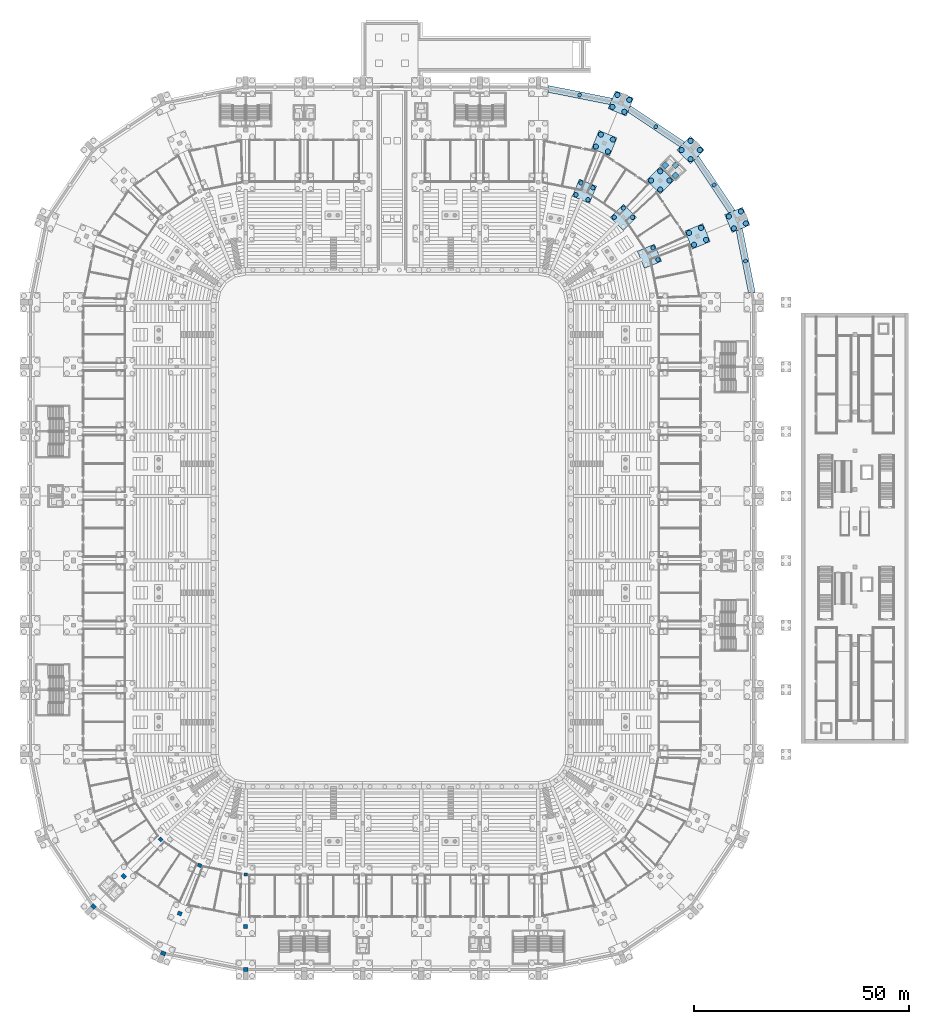
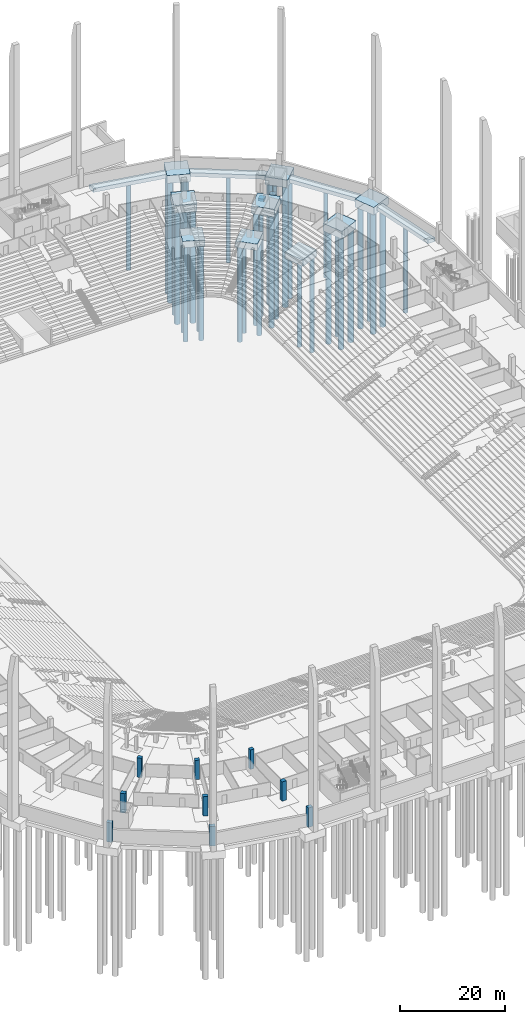
# One storey, part 9 of 115: 37 piles, 16 footings, 9 columns.
"""IFC4 building model written with IfcOpenShell, lengths in metres."""

from ifc_helpers import new_model, si_unit, direction, frame, origin, origin_2d, place, context, subcontext, project, spatial, polyline, rectangle, circle, outline, extrude, material, layer, layer_set, material_profile, profile_set, type_object, element, save


model = new_model("IFC4")

# Units and contexts
model_context = context("Model", 3, precision=1e-05, world=origin(), true_north=direction((0.0, 1.0)))
body_context = subcontext(model_context, "Body", "Model", "MODEL_VIEW")
ifc_project = project(units=[si_unit("LENGTHUNIT", "METRE"), si_unit("AREAUNIT", "SQUARE_METRE"), si_unit("VOLUMEUNIT", "CUBIC_METRE"), si_unit("PLANEANGLEUNIT", "RADIAN"), si_unit("MASSUNIT", "GRAM", prefix="KILO")], contexts=[model_context])

# Site, building, storey
site_placement = place(None, origin())
site = spatial("IfcSite", under=ifc_project, at=site_placement, CompositionType="ELEMENT")
building_placement = place(site_placement, origin())
building = spatial("IfcBuilding", under=site, at=building_placement, Name="Ogive Plaza Stadium", CompositionType="ELEMENT")
storey_placement = place(building_placement, frame((0.0, 0.0, -4.5)))
storey = spatial("IfcBuildingStorey", under=building, at=storey_placement, Name="B1", CompositionType="ELEMENT", Elevation=-4.5)

# Piles
ifc_material_1 = material(Name="Concrete C40/50", Category="concrete")
ifc_material_profile_1 = material_profile(ifc_material_1, circle(Radius=0.5, at=origin_2d()), Name="RC D1000")
ifc_profile_set_1 = profile_set([ifc_material_profile_1], Name="Concrete C40/50")
pile_type_1 = type_object("IfcPileType", Name="Bored pile D1000", PredefinedType="BORED", material=ifc_profile_set_1)
for number, where, z_axis, x_axis, name in (
    (1, (45.48876953125, 76.31640625, -1.5), (0.0, 0.0, -1.0), (1.0, 0.0, 0.0), "Bored pile F3:R38 1"),
    (2, (42.717041015625, 77.46435546875, -1.5), (0.0, 0.0, -1.0), (1.0, 0.0, 0.0), "Bored pile F3:R38 2"),
    (3, (46.63671875, 79.088134765625, -1.5), (0.0, 0.0, -1.0), (1.0, 0.0, 0.0), "Bored pile F3:R38 3"),
    (4, (43.864990234375, 80.236083984375, -1.5), (0.0, 0.0, -1.0), (1.0, 0.0, 0.0), "Bored pile F3:R38 4"),
    (5, (51.60693359375, 72.228271484375, -1.5), (0.0, 0.0, -1.0), (1.0, 0.0, 0.0), "Bored pile F3:R39 2"),
    (6, (55.849609375, 72.228271484375, -1.5), (0.0, 0.0, -1.0), (1.0, 0.0, 0.0), "Bored pile F3:R39 3"),
    (7, (53.728271484375, 74.349609375, -1.5), (0.0, 0.0, -1.0), (1.0, 0.0, 0.0), "Bored pile F3:R39 4"),
    (8, (61.736083984375, 62.364990234375, -1.5), (0.0, 0.0, -1.0), (1.0, 0.0, 0.0), "Bored pile F3:R40 3"),
    (9, (60.588134765625, 65.13671875, -1.5), (0.0, 0.0, -1.0), (1.0, 0.0, 0.0), "Bored pile F3:R40 4"),
):
    element("IfcPile", number, at=place(storey_placement, frame(where, z_axis=z_axis, x_axis=x_axis)), inside=storey, type_object=pile_type_1, Name=name, PredefinedType="BORED", context=body_context, shape_type="SweptSolid", body=[
        extrude(circle(Radius=0.5, at=origin_2d()), origin(), (0.0, 0.0, 1.0), 22.0),
    ])
ifc_material_2 = material(Name="Concrete C40/50", Category="concrete")
ifc_material_profile_2 = material_profile(ifc_material_2, circle(Radius=0.60009765625, at=origin_2d()), Name="RC D1200")
ifc_profile_set_2 = profile_set([ifc_material_profile_2], Name="Concrete C40/50")
pile_type_2 = type_object("IfcPileType", Name="Bored pile D1200", PredefinedType="BORED", material=ifc_profile_set_2)
for number, where, z_axis, x_axis, name in (
    (10, (50.119140625, 87.495361328125, -1.800048828125), (0.0, 0.0, -1.0), (1.0, 0.0, 0.0), "Bored pile F4:R38 1"),
    (11, (47.347412109375, 88.643310546875, -1.800048828125), (0.0, 0.0, -1.0), (1.0, 0.0, 0.0), "Bored pile F4:R38 2"),
    (12, (51.26708984375, 90.26708984375, -1.800048828125), (0.0, 0.0, -1.0), (1.0, 0.0, 0.0), "Bored pile F4:R38 3"),
    (13, (48.49560546875, 91.4150390625, -1.800048828125), (0.0, 0.0, -1.0), (1.0, 0.0, 0.0), "Bored pile F4:R38 4"),
):
    element("IfcPile", number, at=place(storey_placement, frame(where, z_axis=z_axis, x_axis=x_axis)), inside=storey, type_object=pile_type_2, Name=name, PredefinedType="BORED", context=body_context, shape_type="SweptSolid", body=[
        extrude(circle(Radius=0.60009765625, at=origin_2d()), origin(), (0.0, 0.0, 1.0), 26.0),
    ])
for number, where, z_axis, x_axis, name in (
    (14, (53.946044921875, 96.734130859375, -1.800048828125), (0.0, 0.0, -1.0), (1.0, 0.0, 0.0), "Bored pile F5:R38 1"),
    (15, (51.17431640625, 97.882080078125, -1.800048828125), (0.0, 0.0, -1.0), (1.0, 0.0, 0.0), "Bored pile F5:R38 2"),
    (16, (55.093994140625, 99.505859375, -1.800048828125), (0.0, 0.0, -1.0), (1.0, 0.0, 0.0), "Bored pile F5:R38 3"),
    (17, (52.322265625, 100.65380859375, -1.800048828125), (0.0, 0.0, -1.0), (1.0, 0.0, 0.0), "Bored pile F5:R38 4"),
):
    element("IfcPile", number, at=place(storey_placement, frame(where, z_axis=z_axis, x_axis=x_axis)), inside=storey, type_object=pile_type_2, Name=name, PredefinedType="BORED", context=body_context, shape_type="SweptSolid", body=[
        extrude(circle(Radius=0.60009765625, at=origin_2d()), origin(), (0.0, 0.0, 1.0), 28.0),
    ])
for number, where, z_axis, x_axis, name in (
    (18, (62.2841796875, 78.662841796875, -1.800048828125), (0.0, 0.0, -1.0), (1.0, 0.0, 0.0), "Bored pile F4:R39 1"),
    (19, (60.162841796875, 80.7841796875, -1.800048828125), (0.0, 0.0, -1.0), (1.0, 0.0, 0.0), "Bored pile F4:R39 2"),
    (20, (64.405517578125, 80.7841796875, -1.800048828125), (0.0, 0.0, -1.0), (1.0, 0.0, 0.0), "Bored pile F4:R39 3"),
    (21, (62.2841796875, 82.905517578125, -1.800048828125), (0.0, 0.0, -1.0), (1.0, 0.0, 0.0), "Bored pile F4:R39 4"),
):
    element("IfcPile", number, at=place(storey_placement, frame(where, z_axis=z_axis, x_axis=x_axis)), inside=storey, type_object=pile_type_2, Name=name, PredefinedType="BORED", context=body_context, shape_type="SweptSolid", body=[
        extrude(circle(Radius=0.60009765625, at=origin_2d()), origin(), (0.0, 0.0, 1.0), 26.0),
    ])
for number, where, z_axis, x_axis, name in (
    (22, (69.355224609375, 85.734130859375, -1.800048828125), (0.0, 0.0, -1.0), (1.0, 0.0, 0.0), "Bored pile F5:R39 1"),
    (23, (67.234130859375, 87.855224609375, -1.800048828125), (0.0, 0.0, -1.0), (1.0, 0.0, 0.0), "Bored pile F5:R39 2"),
    (24, (71.4765625, 87.855224609375, -1.800048828125), (0.0, 0.0, -1.0), (1.0, 0.0, 0.0), "Bored pile F5:R39 3"),
    (25, (69.355224609375, 89.9765625, -1.800048828125), (0.0, 0.0, -1.0), (1.0, 0.0, 0.0), "Bored pile F5:R39 4"),
):
    element("IfcPile", number, at=place(storey_placement, frame(where, z_axis=z_axis, x_axis=x_axis)), inside=storey, type_object=pile_type_2, Name=name, PredefinedType="BORED", context=body_context, shape_type="SweptSolid", body=[
        extrude(circle(Radius=0.60009765625, at=origin_2d()), origin(), (0.0, 0.0, 1.0), 28.0),
    ])
for number, where, z_axis, x_axis, name in (
    (26, (70.143310546875, 65.847412109375, -1.800048828125), (0.0, 0.0, -1.0), (1.0, 0.0, 0.0), "Bored pile F4:R40 1"),
    (27, (68.995361328125, 68.619140625, -1.800048828125), (0.0, 0.0, -1.0), (1.0, 0.0, 0.0), "Bored pile F4:R40 2"),
    (28, (72.9150390625, 66.99560546875, -1.800048828125), (0.0, 0.0, -1.0), (1.0, 0.0, 0.0), "Bored pile F4:R40 3"),
    (29, (71.76708984375, 69.76708984375, -1.800048828125), (0.0, 0.0, -1.0), (1.0, 0.0, 0.0), "Bored pile F4:R40 4"),
):
    element("IfcPile", number, at=place(storey_placement, frame(where, z_axis=z_axis, x_axis=x_axis)), inside=storey, type_object=pile_type_2, Name=name, PredefinedType="BORED", context=body_context, shape_type="SweptSolid", body=[
        extrude(circle(Radius=0.60009765625, at=origin_2d()), origin(), (0.0, 0.0, 1.0), 26.0),
    ])
for number, where, z_axis, x_axis, name in (
    (30, (79.382080078125, 69.67431640625, -1.800048828125), (0.0, 0.0, -1.0), (1.0, 0.0, 0.0), "Bored pile F5:R40 1"),
    (31, (78.234130859375, 72.446044921875, -1.800048828125), (0.0, 0.0, -1.0), (1.0, 0.0, 0.0), "Bored pile F5:R40 2"),
    (32, (82.15380859375, 70.822265625, -1.800048828125), (0.0, 0.0, -1.0), (1.0, 0.0, 0.0), "Bored pile F5:R40 3"),
    (33, (81.005859375, 73.593994140625, -1.800048828125), (0.0, 0.0, -1.0), (1.0, 0.0, 0.0), "Bored pile F5:R40 4"),
):
    element("IfcPile", number, at=place(storey_placement, frame(where, z_axis=z_axis, x_axis=x_axis)), inside=storey, type_object=pile_type_2, Name=name, PredefinedType="BORED", context=body_context, shape_type="SweptSolid", body=[
        extrude(circle(Radius=0.60009765625, at=origin_2d()), origin(), (0.0, 0.0, 1.0), 28.0),
    ])
ifc_material_3 = material(Name="Concrete C40/50", Category="concrete")
ifc_material_profile_3 = material_profile(ifc_material_3, circle(Radius=0.449951171875, at=origin_2d()), Name="RC D900")
ifc_profile_set_3 = profile_set([ifc_material_profile_3], Name="Concrete C40/50")
pile_type_3 = type_object("IfcPileType", Name="Bored pile D900", PredefinedType="BORED", material=ifc_profile_set_3)
for number, where, z_axis, x_axis, name in (
    (34, (43.568115234375, 100.602294921875, -1.300048828125), (0.0, 0.0, -1.0), (1.0, 0.0, 0.0), "Bored pile RET:B37 1"),
    (35, (61.247802734375, 93.279296875, -1.300048828125), (0.0, 0.0, -1.0), (1.0, 0.0, 0.0), "Bored pile RET:B38 1"),
    (36, (74.779296875, 79.747802734375, -1.300048828125), (0.0, 0.0, -1.0), (1.0, 0.0, 0.0), "Bored pile RET:B39 1"),
    (37, (82.102294921875, 62.068115234375, -1.300048828125), (0.0, 0.0, -1.0), (1.0, 0.0, 0.0), "Bored pile RET:B40 1"),
):
    element("IfcPile", number, at=place(storey_placement, frame(where, z_axis=z_axis, x_axis=x_axis)), inside=storey, type_object=pile_type_3, Name=name, PredefinedType="BORED", context=body_context, shape_type="SweptSolid", body=[
        extrude(circle(Radius=0.449951171875, at=origin_2d()), origin(), (0.0, 0.0, 1.0), 20.0),
    ])

# Footings
ifc_material_4 = material(Name="Concrete C40/50", Category="concrete")
ifc_layer_1 = layer(ifc_material_4, 0.60009765625)
ifc_layer_set_1 = layer_set([ifc_layer_1], Name="Concrete C40/50")
footing_type_1 = type_object("IfcFootingType", Name="Lift pit pad 1200x1200", PredefinedType="PAD_FOOTING", material=ifc_layer_set_1)
for number, where, z_axis, x_axis, name in (
    (38, (65.80224609375, 81.933349609375, -2.2099609375), (0.0, 0.0, 1.0), (0.707106781187, 0.707106781187, 0.0), "Lift pit pad LP39"),
    (39, (63.433349609375, 84.30224609375, -2.2099609375), (0.0, 0.0, 1.0), (0.707106781187, 0.707106781187, 0.0), "Lift pit pad LP39"),
    (40, (65.81982421875, 84.31982421875, -2.2099609375), (0.0, 0.0, 1.0), (0.707106781187, 0.707106781187, 0.0), "Lift pit pad LP39"),
):
    element("IfcFooting", number, at=place(storey_placement, frame(where, z_axis=z_axis, x_axis=x_axis)), inside=storey, type_object=footing_type_1, Name=name, PredefinedType="PAD_FOOTING", context=body_context, shape_type="SweptSolid", body=[
        extrude(rectangle(XDim=1.199951171875, YDim=1.199951171875, at=origin_2d()), origin(), (0.0, 0.0, 1.0), 0.60009765625),
    ])
ifc_material_5 = material(Name="Concrete C40/50", Category="concrete")
ifc_layer_2 = layer(ifc_material_5, 1.5)
ifc_layer_set_2 = layer_set([ifc_layer_2], Name="Concrete C40/50")
footing_type_2 = type_object("IfcFootingType", Name="Pile cap F3 4300x1500", PredefinedType="PILE_CAP", material=ifc_layer_set_2)
for number, where, z_axis, x_axis, name in (
    (41, (44.6767578125, 78.276123046875, -1.5), (0.0, 0.0, 1.0), (0.382683432365, 0.923879532511, 0.0), "Pile cap F3 R38"),
    (42, (53.728271484375, 72.228271484375, -1.5), (0.0, 0.0, 1.0), (0.707106781187, 0.707106781187, 0.0), "Pile cap F3 R39"),
    (43, (59.776123046875, 63.1767578125, -1.5), (0.0, 0.0, 1.0), (0.923879532511, 0.382683432365, 0.0), "Pile cap F3 R40"),
):
    element("IfcFooting", number, at=place(storey_placement, frame(where, z_axis=z_axis, x_axis=x_axis)), inside=storey, type_object=footing_type_2, Name=name, PredefinedType="PILE_CAP", context=body_context, shape_type="SweptSolid", body=[
        extrude(rectangle(XDim=4.300048828125, YDim=4.300048828125, at=origin_2d()), origin(), (0.0, 0.0, 1.0), 1.5),
    ])
ifc_material_6 = material(Name="Concrete C40/50", Category="concrete")
ifc_layer_3 = layer(ifc_material_6, 1.800048828125)
ifc_layer_set_3 = layer_set([ifc_layer_3], Name="Concrete C40/50")
footing_type_3 = type_object("IfcFootingType", Name="Pile cap F4 4500x1800", PredefinedType="PILE_CAP", material=ifc_layer_set_3)
for number, where, z_axis, x_axis, name in (
    (44, (49.307373046875, 89.455078125, -1.7998046875), (0.0, 0.0, 1.0), (0.382683432365, 0.923879532511, 0.0), "Pile cap F4 R38"),
    (45, (62.2841796875, 80.7841796875, -1.7998046875), (0.0, 0.0, 1.0), (0.707106781187, 0.707106781187, 0.0), "Pile cap F4 R39"),
    (46, (70.955078125, 67.807373046875, -1.7998046875), (0.0, 0.0, 1.0), (0.923879532511, 0.382683432365, 0.0), "Pile cap F4 R40"),
):
    element("IfcFooting", number, at=place(storey_placement, frame(where, z_axis=z_axis, x_axis=x_axis)), inside=storey, type_object=footing_type_3, Name=name, PredefinedType="PILE_CAP", context=body_context, shape_type="SweptSolid", body=[
        extrude(rectangle(XDim=4.5, YDim=4.5, at=origin_2d()), origin(), (0.0, 0.0, 1.0), 1.800048828125),
    ])
ifc_material_7 = material(Name="Concrete C40/50", Category="concrete")
ifc_layer_4 = layer(ifc_material_7, 1.800048828125)
ifc_layer_set_4 = layer_set([ifc_layer_4], Name="Concrete C40/50")
footing_type_4 = type_object("IfcFootingType", Name="Pile cap F5 4500x1800", PredefinedType="PILE_CAP", material=ifc_layer_set_4)
for number, where, z_axis, x_axis, name in (
    (47, (53.13427734375, 98.694091796875, -1.7998046875), (0.0, 0.0, 1.0), (0.382683432365, 0.923879532511, 0.0), "Pile cap F5 R38"),
    (48, (69.355224609375, 87.855224609375, -1.7998046875), (0.0, 0.0, 1.0), (0.707106781187, 0.707106781187, 0.0), "Pile cap F5 R39"),
    (49, (80.194091796875, 71.63427734375, -1.7998046875), (0.0, 0.0, 1.0), (0.923879532511, 0.382683432365, 0.0), "Pile cap F5 R40"),
):
    element("IfcFooting", number, at=place(storey_placement, frame(where, z_axis=z_axis, x_axis=x_axis)), inside=storey, type_object=footing_type_4, Name=name, PredefinedType="PILE_CAP", context=body_context, shape_type="SweptSolid", body=[
        extrude(rectangle(XDim=4.5, YDim=4.5, at=origin_2d()), origin(), (0.0, 0.0, 1.0), 1.800048828125),
    ])
ifc_material_8 = material(Name="Concrete C40/50", Category="concrete")
ifc_layer_5 = layer(ifc_material_8, 0.89990234375)
ifc_layer_set_5 = layer_set([ifc_layer_5], Name="Concrete C40/50")
footing_type_5 = type_object("IfcFootingType", Name="Strip footing RET 900", PredefinedType="STRIP_FOOTING", material=ifc_layer_set_5)
footing_1_placement = place(storey_placement, frame((0.0, 0.0, -1.300048828125)))
element("IfcFooting", 50, at=footing_1_placement, inside=storey, type_object=footing_type_5, Name="Strip footing retaining wall B37", PredefinedType="STRIP_FOOTING", context=body_context, shape_type="SweptSolid", body=[
    extrude(outline(polyline([(50.578125, 98.40234375), (51.1904296875, 99.880615234375), (36.25, 102.8525390625), (36.25, 101.25244140625), (50.578125, 98.40234375)])), origin(), (0.0, 0.0, 1.0), 0.900146484375),
])
footing_2_placement = place(storey_placement, frame((0.0, 0.0, -1.300048828125)))
element("IfcFooting", 51, at=footing_2_placement, inside=storey, type_object=footing_type_5, Name="Strip footing retaining wall B38", PredefinedType="STRIP_FOOTING", context=body_context, shape_type="SweptSolid", body=[
    extrude(outline(polyline([(66.882080078125, 88.564208984375), (68.013671875, 89.695556640625), (55.34765625, 98.158447265625), (54.735595703125, 96.680419921875), (66.882080078125, 88.564208984375)])), origin(), (0.0, 0.0, 1.0), 0.900146484375),
])
footing_3_placement = place(storey_placement, frame((0.0, 0.0, -1.300048828125)))
element("IfcFooting", 52, at=footing_3_placement, inside=storey, type_object=footing_type_5, Name="Strip footing retaining wall B39", PredefinedType="STRIP_FOOTING", context=body_context, shape_type="SweptSolid", body=[
    extrude(outline(polyline([(78.180419921875, 73.235595703125), (79.658447265625, 73.84765625), (71.195556640625, 86.513671875), (70.064208984375, 85.382080078125), (78.180419921875, 73.235595703125)])), origin(), (0.0, 0.0, 1.0), 0.900146484375),
])
footing_4_placement = place(storey_placement, frame((0.0, 0.0, -1.300048828125)))
element("IfcFooting", 53, at=footing_4_placement, inside=storey, type_object=footing_type_5, Name="Strip footing retaining wall B40", PredefinedType="STRIP_FOOTING", context=body_context, shape_type="SweptSolid", body=[
    extrude(outline(polyline([(82.75244140625, 54.75), (84.3525390625, 54.75), (81.380615234375, 69.6904296875), (79.90234375, 69.078125), (82.75244140625, 54.75)])), origin(), (0.0, 0.0, 1.0), 0.900146484375),
])

# Columns
ifc_material_9 = material(Name="Concrete C40/50", Category="concrete")
ifc_material_profile_4 = material_profile(ifc_material_9, rectangle(XDim=0.89990234375, YDim=0.800048828125, at=origin_2d()), Name="RC 900x800")
ifc_profile_set_4 = profile_set([ifc_material_profile_4], Name="Concrete C40/50")
column_type_1 = type_object("IfcColumnType", Name="RC column F3 corner 900x800", PredefinedType="COLUMN", material=ifc_profile_set_4)
for number, where, z_axis, x_axis, name in (
    (54, (-44.6767578125, -78.276123046875, 0.0), (0.0, 0.0, 1.0), (0.923879532511, -0.382683432365, 0.0), "Column F3 R18 B1"),
    (55, (-53.728271484375, -72.228271484375, 0.0), (0.0, 0.0, 1.0), (0.707106781187, -0.707106781187, 0.0), "Column F3 R19 B1"),
):
    element("IfcColumn", number, at=place(storey_placement, frame(where, z_axis=z_axis, x_axis=x_axis)), inside=storey, type_object=column_type_1, Name=name, PredefinedType="COLUMN", context=body_context, shape_type="SweptSolid", body=[
        extrude(rectangle(XDim=0.89990234375, YDim=0.800048828125, at=origin_2d()), origin(), (0.0, 0.0, 1.0), 4.5),
    ])
ifc_material_10 = material(Name="Concrete C40/50", Category="concrete")
ifc_material_profile_5 = material_profile(ifc_material_10, rectangle(XDim=0.800048828125, YDim=0.800048828125, at=origin_2d()), Name="RC 800x800")
ifc_profile_set_5 = profile_set([ifc_material_profile_5], Name="Concrete C40/50")
column_type_2 = type_object("IfcColumnType", Name="RC column F3 typical 800x800", PredefinedType="COLUMN", material=ifc_profile_set_5)
column_1_placement = place(storey_placement, frame((-34.0, -80.39990234375, 0.0), z_axis=(0.0, 0.0, 1.0), x_axis=(1.0, 0.0, 0.0)))
element("IfcColumn", 56, at=column_1_placement, inside=storey, type_object=column_type_2, Name="Column F3 R17 B1", PredefinedType="COLUMN", context=body_context, shape_type="SweptSolid", body=[
    extrude(rectangle(XDim=0.800048828125, YDim=0.800048828125, at=origin_2d()), origin(), (0.0, 0.0, 1.0), 4.5),
])
ifc_material_11 = material(Name="Concrete C40/50", Category="concrete")
ifc_material_profile_6 = material_profile(ifc_material_11, rectangle(XDim=1.0, YDim=0.89990234375, at=origin_2d()), Name="RC 1000x900")
ifc_profile_set_6 = profile_set([ifc_material_profile_6], Name="Concrete C40/50")
column_type_3 = type_object("IfcColumnType", Name="RC column F4 corner 1000x900", PredefinedType="COLUMN", material=ifc_profile_set_6)
for number, where, z_axis, x_axis, name in (
    (57, (-49.307373046875, -89.455078125, 0.0), (0.0, 0.0, 1.0), (0.923879532511, -0.382683432365, 0.0), "Column F4 R18 B1"),
    (58, (-62.2841796875, -80.7841796875, 0.0), (0.0, 0.0, 1.0), (0.707106781187, -0.707106781187, 0.0), "Column F4 R19 B1"),
):
    element("IfcColumn", number, at=place(storey_placement, frame(where, z_axis=z_axis, x_axis=x_axis)), inside=storey, type_object=column_type_3, Name=name, PredefinedType="COLUMN", context=body_context, shape_type="SweptSolid", body=[
        extrude(rectangle(XDim=1.0, YDim=0.89990234375, at=origin_2d()), origin(), (0.0, 0.0, 1.0), 4.5),
    ])
ifc_material_12 = material(Name="Concrete C40/50", Category="concrete")
ifc_material_profile_7 = material_profile(ifc_material_12, rectangle(XDim=0.89990234375, YDim=0.89990234375, at=origin_2d()), Name="RC 900x900")
ifc_profile_set_7 = profile_set([ifc_material_profile_7], Name="Concrete C40/50")
column_type_4 = type_object("IfcColumnType", Name="RC column F4 typical 900x900", PredefinedType="COLUMN", material=ifc_profile_set_7)
column_2_placement = place(storey_placement, frame((-34.0, -92.5, 0.0), z_axis=(0.0, 0.0, 1.0), x_axis=(1.0, 0.0, 0.0)))
element("IfcColumn", 59, at=column_2_placement, inside=storey, type_object=column_type_4, Name="Column F4 R17 B1", PredefinedType="COLUMN", context=body_context, shape_type="SweptSolid", body=[
    extrude(rectangle(XDim=0.89990234375, YDim=0.89990234375, at=origin_2d()), origin(), (0.0, 0.0, 1.0), 4.5),
])
ifc_material_13 = material(Name="Concrete C40/50", Category="concrete")
ifc_material_profile_8 = material_profile(ifc_material_13, rectangle(XDim=1.10009765625, YDim=0.89990234375, at=origin_2d()), Name="RC 1100x900")
ifc_profile_set_8 = profile_set([ifc_material_profile_8], Name="Concrete C40/50")
column_type_5 = type_object("IfcColumnType", Name="RC column F5 corner 1100x900", PredefinedType="COLUMN", material=ifc_profile_set_8)
for number, where, z_axis, x_axis, name in (
    (60, (-53.13427734375, -98.694091796875, 0.0), (0.0, 0.0, 1.0), (0.923879532511, -0.382683432365, 0.0), "Column F5 R18 B1"),
    (61, (-69.355224609375, -87.855224609375, 0.0), (0.0, 0.0, 1.0), (0.707106781187, -0.707106781187, 0.0), "Column F5 R19 B1"),
):
    element("IfcColumn", number, at=place(storey_placement, frame(where, z_axis=z_axis, x_axis=x_axis)), inside=storey, type_object=column_type_5, Name=name, PredefinedType="COLUMN", context=body_context, shape_type="SweptSolid", body=[
        extrude(rectangle(XDim=1.10009765625, YDim=0.89990234375, at=origin_2d()), origin(), (0.0, 0.0, 1.0), 4.5),
    ])
ifc_material_14 = material(Name="Concrete C40/50", Category="concrete")
ifc_material_profile_9 = material_profile(ifc_material_14, rectangle(XDim=1.0, YDim=0.89990234375, at=origin_2d()), Name="RC 1000x900")
ifc_profile_set_9 = profile_set([ifc_material_profile_9], Name="Concrete C40/50")
column_type_6 = type_object("IfcColumnType", Name="RC column F5 typical 1000x900", PredefinedType="COLUMN", material=ifc_profile_set_9)
column_3_placement = place(storey_placement, frame((-34.0, -102.5, 0.0), z_axis=(0.0, 0.0, 1.0), x_axis=(1.0, 0.0, 0.0)))
element("IfcColumn", 62, at=column_3_placement, inside=storey, type_object=column_type_6, Name="Column F5 R17 B1", PredefinedType="COLUMN", context=body_context, shape_type="SweptSolid", body=[
    extrude(rectangle(XDim=1.0, YDim=0.89990234375, at=origin_2d()), origin(), (0.0, 0.0, 1.0), 4.5),
])

save(model, "model.ifc")
